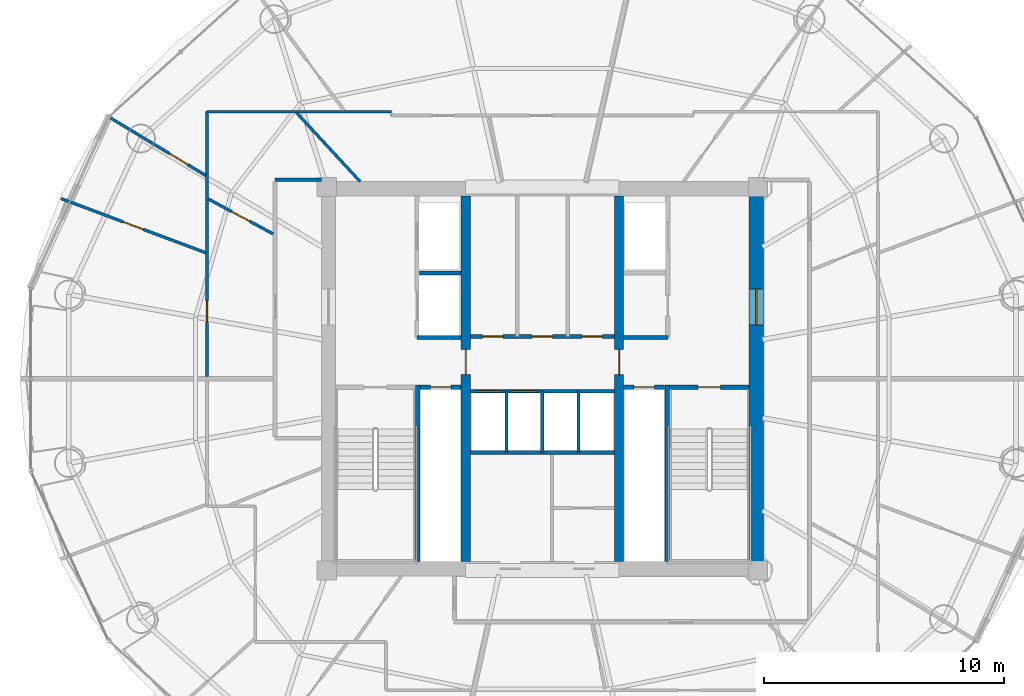
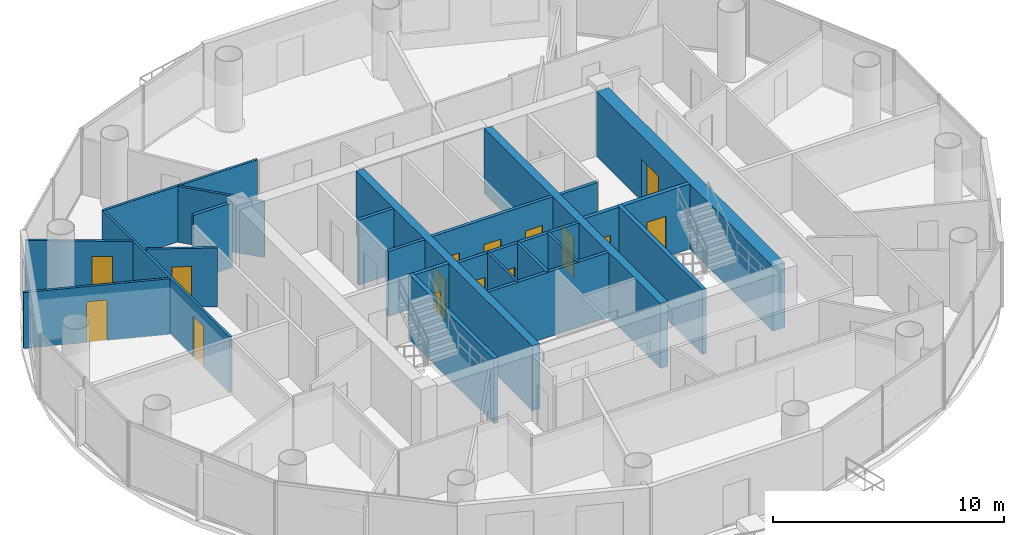
# One storey, part 21 of 26: 24 walls, 15 doors, 15 openings.
"""IFC4 building model written with IfcOpenShell, lengths in metres."""

import ifcopenshell
import ifcopenshell.guid

model = None  # the IFC model being written
_history = None  # IfcOwnerHistory: only IFC2X3 demands one
_inside = {}  # id of a spatial element -> (the spatial element, [elements in it])
_under = {}  # id of a project, library or spatial element -> (it, [spatial elements below it])
_declared = {}  # id of a project -> (the project, [libraries it declares])
_typed = {}  # id of a type object -> (the type object, [elements of that type])
_made_of = {}  # id of a material, layer set ... -> (it, [elements and type objects made of it])


def new_model(schema):
    """Start an empty IFC model of exactly this schema.

    Asked for "IFC4X3", IfcOpenShell would pick the latest addendum, in which some entities
    have other attributes; the version numbers below select the first issue.
    IFC2X3 requires an IfcOwnerHistory on every rooted entity: one is made here for all.
    """
    global model, _history
    if schema == "IFC4X3":
        model = ifcopenshell.file(schema_version=(4, 3, 0, 0))
    else:
        model = ifcopenshell.file(schema=schema)
    _inside.clear()
    _under.clear()
    _declared.clear()
    _typed.clear()
    _made_of.clear()
    _history = None
    if model.schema == "IFC2X3":
        org = make("IfcOrganization", Name="unknown")
        user = make(
            "IfcPersonAndOrganization",
            ThePerson=make("IfcPerson", FamilyName="unknown"),
            TheOrganization=org,
        )
        app = make(
            "IfcApplication",
            ApplicationDeveloper=org,
            Version="unknown",
            ApplicationFullName="unknown",
            ApplicationIdentifier="unknown",
        )
        _history = make(
            "IfcOwnerHistory",
            OwningUser=user,
            OwningApplication=app,
            ChangeAction="ADDED",
            CreationDate=0,
        )
    return model


def make(cls, **values):
    """One entity of the class cls with the attributes given. An attribute that is None is left unset."""
    return model.create_entity(
        cls, **{name: value for name, value in values.items() if value is not None}
    )


def rooted(cls, **values):
    """An entity with a GlobalId (a new one), such as an element, a storey or a relation."""
    return make(cls, GlobalId=ifcopenshell.guid.new(), OwnerHistory=_history, **values)


def si_unit(unit_type, name, prefix=None):
    """IfcSIUnit, for example si_unit("LENGTHUNIT", "METRE", prefix="MILLI")."""
    return make("IfcSIUnit", UnitType=unit_type, Prefix=prefix, Name=name)


def assignment(units):
    """IfcUnitAssignment: the units of a project."""
    return None if units is None else make("IfcUnitAssignment", Units=units)


def point(xyz):
    """IfcCartesianPoint."""
    return None if xyz is None else make("IfcCartesianPoint", Coordinates=xyz)


def direction(xyz):
    """IfcDirection."""
    return None if xyz is None else make("IfcDirection", DirectionRatios=xyz)


def frame(location, z_axis=None, x_axis=None):
    """IfcAxis2Placement3D, a coordinate frame: its origin and axes. An axis left out is left unset."""
    return make(
        "IfcAxis2Placement3D",
        Location=point(location),
        Axis=direction(z_axis),
        RefDirection=direction(x_axis),
    )


def frame_2d(location, x_axis=None):
    """IfcAxis2Placement2D, a coordinate frame in the plane: its origin and x axis."""
    return make(
        "IfcAxis2Placement2D", Location=point(location), RefDirection=direction(x_axis)
    )


def origin():
    """The frame at (0, 0, 0) with its axes left unset."""
    return frame((0.0, 0.0, 0.0))


def place(relative_to, where):
    """IfcLocalPlacement: puts the frame where relative to a parent placement (None: the world)."""
    return make(
        "IfcLocalPlacement", PlacementRelTo=relative_to, RelativePlacement=where
    )


def context(
    kind, dimensions, precision=None, world=None, true_north=None, identifier=None
):
    """IfcGeometricRepresentationContext, for example the 3D "Model" context."""
    return make(
        "IfcGeometricRepresentationContext",
        ContextIdentifier=identifier,
        ContextType=kind,
        CoordinateSpaceDimension=dimensions,
        Precision=precision,
        WorldCoordinateSystem=world,
        TrueNorth=true_north,
    )


def subcontext(parent, identifier, kind, view, scale=None):
    """IfcGeometricRepresentationSubContext, for example "Body" below "Model"."""
    return make(
        "IfcGeometricRepresentationSubContext",
        ContextIdentifier=identifier,
        ContextType=kind,
        ParentContext=parent,
        TargetScale=scale,
        TargetView=view,
    )


def project(units=None, contexts=None):
    """IfcProject with its units and contexts."""
    return rooted(
        "IfcProject",
        Name="project",
        RepresentationContexts=contexts,
        UnitsInContext=assignment(units),
    )


def spatial(cls, under=None, at=None, **own):
    """A site, building, storey or space (cls), placed at a placement, below another one or the project."""
    s = rooted(cls, ObjectPlacement=at, **own)
    if under is not None:
        _under.setdefault(under.id(), (under, []))[1].append(s)
    return s


def profile(cls, at=None, kind="AREA", **sizes):
    """A parametric profile (cls). Its sizes go by their IFC names, for example OverallWidth=200.0."""
    return make(cls, ProfileType=kind, Position=at, **sizes)


def rectangle(**sizes):
    """IfcRectangleProfileDef."""
    return profile("IfcRectangleProfileDef", **sizes)


def extrude(swept, where, along, depth):
    """IfcExtrudedAreaSolid: the profile swept, set in the frame where, extruded along a direction by depth."""
    return make(
        "IfcExtrudedAreaSolid",
        SweptArea=swept,
        Position=where,
        ExtrudedDirection=direction(along),
        Depth=depth,
    )


def shape(context_of_items, identifier, shape_type, items):
    """IfcShapeRepresentation: the items that make up one representation, for example the "Body"."""
    return make(
        "IfcShapeRepresentation",
        ContextOfItems=context_of_items,
        RepresentationIdentifier=identifier,
        RepresentationType=shape_type,
        Items=items,
    )


def source(mapping_origin, context_of_items, identifier, shape_type, items):
    """IfcRepresentationMap: a shape defined once, which mapped items show again and again."""
    return make(
        "IfcRepresentationMap",
        MappingOrigin=mapping_origin,
        MappedRepresentation=shape(context_of_items, identifier, shape_type, items),
    )


def transform(
    local_origin,
    x_axis=None,
    y_axis=None,
    z_axis=None,
    scale=None,
    scale2=None,
    scale3=None,
    uniform=True,
):
    """IfcCartesianTransformationOperator3D, or its non-uniform kind. x_axis, y_axis, z_axis: its Axis1, 2, 3."""
    if uniform:
        return make(
            "IfcCartesianTransformationOperator3D",
            Axis1=direction(x_axis),
            Axis2=direction(y_axis),
            LocalOrigin=point(local_origin),
            Scale=scale,
            Axis3=direction(z_axis),
        )
    return make(
        "IfcCartesianTransformationOperator3DnonUniform",
        Axis1=direction(x_axis),
        Axis2=direction(y_axis),
        LocalOrigin=point(local_origin),
        Scale=scale,
        Axis3=direction(z_axis),
        Scale2=scale2,
        Scale3=scale3,
    )


def mapped(mapping_source, mapping_target):
    """IfcMappedItem: shows the shape of a source again, moved by a transform."""
    return make(
        "IfcMappedItem", MappingSource=mapping_source, MappingTarget=mapping_target
    )


def material(Name=None, Category=None):
    """IfcMaterial."""
    return make("IfcMaterial", Name=Name, Category=Category)


def layer(
    of_material, thickness, ventilated=None, Name=None, Category=None, Priority=None
):
    """IfcMaterialLayer: one layer of a wall or slab, of a material (None: an air gap)."""
    return make(
        "IfcMaterialLayer",
        Material=of_material,
        LayerThickness=thickness,
        IsVentilated=ventilated,
        Name=Name,
        Category=Category,
        Priority=Priority,
    )


def layer_set(layers, Name=None):
    """IfcMaterialLayerSet."""
    return make("IfcMaterialLayerSet", MaterialLayers=layers, LayerSetName=Name)


def made_of(thing, what):
    """Note that an element or type object is made of a material, layer set ...; save() writes the relation."""
    if what is not None:
        _made_of.setdefault(what.id(), (what, []))[1].append(thing)
    return thing


def type_object(cls, material=None, **own):
    """A type object (cls), such as IfcWallType, which elements share."""
    return made_of(rooted(cls, **own), material)


def element(
    cls,
    number,
    at=None,
    inside=None,
    cuts=None,
    type_object=None,
    material=None,
    context=None,
    identifier="Body",
    shape_type=None,
    held_by="IfcProductDefinitionShape",
    body=None,
    shapes=None,
    **own,
):
    """One element of the class cls, such as IfcWall. Its Tag is "e" and its number.

    at: its placement. inside: the storey or other place that contains it. cuts: it is an
    opening in that element (IfcRelVoidsElement). A single representation is given by context,
    identifier, shape_type and body (its items); several are given by shapes. held_by: the class
    of the entity that holds the representations. save() writes the other relations.
    """
    e = rooted(cls, Tag="e%d" % number, ObjectPlacement=at, **own)
    if body is not None:
        shapes = [shape(context, identifier, shape_type, body)]
    if shapes is not None:
        e.Representation = make(held_by, Representations=shapes)
    if inside is not None:
        _inside.setdefault(inside.id(), (inside, []))[1].append(e)
    if cuts is not None:
        rooted(
            "IfcRelVoidsElement", RelatingBuildingElement=cuts, RelatedOpeningElement=e
        )
    if type_object is not None:
        _typed.setdefault(type_object.id(), (type_object, []))[1].append(e)
    return made_of(e, material)


def fill(opening, filler):
    """IfcRelFillsElement: the door or window that sits in an opening."""
    return rooted(
        "IfcRelFillsElement",
        RelatingOpeningElement=opening,
        RelatedBuildingElement=filler,
    )


def aggregate(whole, parts):
    """IfcRelAggregates: a whole, such as a stair, and the parts it consists of."""
    return rooted("IfcRelAggregates", RelatingObject=whole, RelatedObjects=parts)


def save(model, path):
    """Write the relations noted so far, then the file.

    IfcRelAggregates (storeys below a building ...), IfcRelContainedInSpatialStructure (elements
    in a storey), IfcRelDefinesByType, IfcRelAssociatesMaterial and IfcRelDeclares: one each for
    every whole, place, type object, material and project.
    """
    for whole, parts in _under.values():
        aggregate(whole, parts)
    for where, things in _inside.values():
        rooted(
            "IfcRelContainedInSpatialStructure",
            RelatedElements=things,
            RelatingStructure=where,
        )
    for kind, things in _typed.values():
        rooted("IfcRelDefinesByType", RelatedObjects=things, RelatingType=kind)
    for what, things in _made_of.values():
        rooted("IfcRelAssociatesMaterial", RelatedObjects=things, RelatingMaterial=what)
    for by, libraries in _declared.values():
        rooted("IfcRelDeclares", RelatingContext=by, RelatedDefinitions=libraries)
    model.write(path)


model = new_model("IFC4")

# Units and contexts
model_context = context("Model", 3, precision=1e-05, world=origin(), true_north=direction((-0.2419218956, 0.970295726276)))
body_context = subcontext(model_context, "Body", "Model", "MODEL_VIEW")
ifc_project = project(units=[si_unit("LENGTHUNIT", "METRE"), si_unit("AREAUNIT", "SQUARE_METRE"), si_unit("VOLUMEUNIT", "CUBIC_METRE"), si_unit("PLANEANGLEUNIT", "RADIAN"), si_unit("MASSUNIT", "GRAM", prefix="KILO")], contexts=[model_context])

# Site, building, storey
site_placement = place(None, origin())
site = spatial("IfcSite", under=ifc_project, at=site_placement, CompositionType="ELEMENT")
building_placement = place(site_placement, origin())
building = spatial("IfcBuilding", under=site, at=building_placement, Name="Cobrevalo Terracotta Tower", CompositionType="ELEMENT")
storey_placement = place(building_placement, frame((0.0, 0.0, 217.10009765625)))
storey = spatial("IfcBuildingStorey", under=building, at=storey_placement, Name="L57", CompositionType="ELEMENT", Elevation=217.10009765625)

# Wall, opening, door
ifc_material_1 = material(Name="Concrete C55", Category="concrete")
ifc_layer_1 = layer(ifc_material_1, 0.60009765625)
ifc_layer_set_1 = layer_set([ifc_layer_1], Name="Concrete C55")
wall_type_1 = type_object("IfcWallType", Name="Core shear wall 600 mm Concrete C55", PredefinedType="SHEAR", material=ifc_layer_set_1)
wall_1_placement = place(storey_placement, frame((46.925048828125, 19.175048828125, 0.0), z_axis=(0.0, 0.0, 1.0), x_axis=(0.0, 1.0, 0.0)))
wall_1 = element("IfcWall", 1, at=wall_1_placement, inside=storey, type_object=wall_type_1, Name="L57 east core shear wall", PredefinedType="SHEAR", context=body_context, shape_type="SweptSolid", body=[
    extrude(rectangle(XDim=15.25, YDim=0.60009765625, at=frame_2d((7.625, 0.0))), origin(), (0.0, 0.0, 1.0), 3.434814453125),
])
opening_1_placement = place(wall_1_placement, frame((9.875, 0.0, 0.0)))
opening_1 = element("IfcOpeningElement", 2, at=opening_1_placement, cuts=wall_1, Name="Opening ID-14", PredefinedType="OPENING", context=body_context, shape_type="SweptSolid", body=[
    extrude(rectangle(XDim=1.5, YDim=2.199951171875, at=frame_2d((0.75, 1.10009765625))), frame((0.0, 0.31005859375, 0.0), z_axis=(0.0, -1.0, 0.0), x_axis=(1.0, 0.0, 0.0)), (0.0, 0.0, 1.0), 0.6201171875),
])
ifc_material_2 = material(Name="Galvanized fire-rated steel", Category="steel")
door_type_1 = type_object("IfcDoorType", Name="Core cross-lobby double fire door 1500x2200 EI 90", OperationType="NOTDEFINED", PredefinedType="DOOR", material=ifc_material_2)
shared_shape_1 = source(origin(), body_context, "Body", "SweptSolid", [
    extrude(rectangle(XDim=1.5, YDim=2.199951171875, at=frame_2d((0.75, 1.10009765625))), frame((0.0, 0.02490234375, 0.0), z_axis=(0.0, -1.0, 0.0), x_axis=(1.0, 0.0, 0.0)), (0.0, 0.0, 1.0), 0.050048828125),
])
door_1_placement = place(opening_1_placement, frame((1.5, 0.0, 0.0), z_axis=(0.0, 0.0, 1.0), x_axis=(-1.0, 0.0, 0.0)))
door_1 = element("IfcDoor", 3, at=door_1_placement, inside=storey, type_object=door_type_1, Name="L57 east firefighting lobby entrance door", OperationType="DOUBLE_DOOR_SINGLE_SWING", OverallHeight=2.199951171875, OverallWidth=1.5, PredefinedType="DOOR", context=body_context, shape_type="MappedRepresentation", body=[
    mapped(shared_shape_1, transform((0.0, 0.0, 0.0), scale=1.0)),
])
fill(opening_1, door_1)

# Walls
ifc_material_3 = material(Name="Gypsum board on steel stud", Category="steel")
ifc_layer_2 = layer(ifc_material_3, 0.159912109375)
ifc_layer_set_2 = layer_set([ifc_layer_2], Name="Gypsum board on steel stud")
wall_type_2 = type_object("IfcWallType", Name="Fire-rated corridor acoustic partition wall 160 mm", PredefinedType="PARTITIONING", material=ifc_layer_set_2)
wall_2_placement = place(storey_placement, frame((32.860107421875, 31.219970703125, 0.0), z_axis=(0.0, 0.0, 1.0), x_axis=(1.0, 0.0, 0.0)))
element("IfcWall", 4, at=wall_2_placement, inside=storey, type_object=wall_type_2, Name="L57 interior partition IW-L57-FF1-M", PredefinedType="PARTITIONING", context=body_context, shape_type="SweptSolid", body=[
    extrude(rectangle(XDim=1.75, YDim=0.159912109375, at=frame_2d((0.875, 0.0))), origin(), (0.0, 0.0, 1.0), 3.434814453125),
])
for number, where, z_axis, x_axis, name in (
    (5, (32.77001953125, 28.52001953125, 0.0), (0.0, 0.0, 1.0), (1.0, 0.0, 0.0), "L57 interior partition IW-L57-FF1-S"),
    (6, (41.389892578125, 28.52001953125, 0.0), (0.0, 0.0, 1.0), (1.0, 0.0, 0.0), "L57 interior partition IW-L57-FF2-S"),
):
    element("IfcWall", number, at=place(storey_placement, frame(where, z_axis=z_axis, x_axis=x_axis)), inside=storey, type_object=wall_type_2, Name=name, PredefinedType="PARTITIONING", context=body_context, shape_type="SweptSolid", body=[
        extrude(rectangle(XDim=1.840087890625, YDim=0.159912109375, at=frame_2d((0.919921875, 0.0))), origin(), (0.0, 0.0, 1.0), 3.434814453125),
    ])

# Wall, openings, doors
wall_3_placement = place(storey_placement, frame((34.989990234375, 28.56005859375, 0.0), z_axis=(0.0, 0.0, 1.0), x_axis=(1.0, 0.0, 0.0)))
wall_3 = element("IfcWall", 7, at=wall_3_placement, inside=storey, type_object=wall_type_2, Name="L57 interior partition IW-L57-LB-S", PredefinedType="PARTITIONING", context=body_context, shape_type="SweptSolid", body=[
    extrude(rectangle(XDim=6.02001953125, YDim=0.159912109375, at=frame_2d((3.010009765625, 0.0))), origin(), (0.0, 0.0, 1.0), 3.434814453125),
])
opening_2_placement = place(wall_3_placement, frame((0.5048828125, 0.0, 0.0)))
opening_2 = element("IfcOpeningElement", 8, at=opening_2_placement, cuts=wall_3, Name="Opening ID-22", PredefinedType="OPENING", context=body_context, shape_type="SweptSolid", body=[
    extrude(rectangle(XDim=0.85009765625, YDim=2.10009765625, at=frame_2d((0.425048828125, 1.050048828125))), frame((0.0, 0.08984375, 0.0), z_axis=(0.0, -1.0, 0.0), x_axis=(1.0, 0.0, 0.0)), (0.0, 0.0, 1.0), 0.179931640625),
])
opening_3_placement = place(wall_3_placement, frame((2.580078125, 0.0, 0.0)))
opening_3 = element("IfcOpeningElement", 9, at=opening_3_placement, cuts=wall_3, Name="Opening ID-07", PredefinedType="OPENING", context=body_context, shape_type="SweptSolid", body=[
    extrude(rectangle(XDim=0.860107421875, YDim=2.10009765625, at=frame_2d((0.43017578125, 1.050048828125))), frame((0.0, 0.08984375, 0.0), z_axis=(0.0, -1.0, 0.0), x_axis=(1.0, 0.0, 0.0)), (0.0, 0.0, 1.0), 0.179931640625),
])
opening_4_placement = place(wall_3_placement, frame((4.6650390625, 0.0, 0.0)))
opening_4 = element("IfcOpeningElement", 10, at=opening_4_placement, cuts=wall_3, Name="Opening ID-22", PredefinedType="OPENING", context=body_context, shape_type="SweptSolid", body=[
    extrude(rectangle(XDim=0.85009765625, YDim=2.10009765625, at=frame_2d((0.425048828125, 1.050048828125))), frame((0.0, 0.08984375, 0.0), z_axis=(0.0, -1.0, 0.0), x_axis=(1.0, 0.0, 0.0)), (0.0, 0.0, 1.0), 0.179931640625),
])
ifc_material_4 = material(Name="Powder-coated steel", Category="steel")
door_type_2 = type_object("IfcDoorType", Name="Riser shaft & meter closet fire access door 850x2100 EI 60", OperationType="NOTDEFINED", PredefinedType="DOOR", material=ifc_material_4)
shared_shape_2 = source(origin(), body_context, "Body", "SweptSolid", [
    extrude(rectangle(XDim=0.85009765625, YDim=2.10009765625, at=frame_2d((0.425048828125, 1.050048828125))), frame((0.0, 0.02490234375, 0.0), z_axis=(0.0, -1.0, 0.0), x_axis=(1.0, 0.0, 0.0)), (0.0, 0.0, 1.0), 0.050048828125),
])
door_2_placement = place(opening_2_placement, origin())
door_2 = element("IfcDoor", 11, at=door_2_placement, inside=storey, type_object=door_type_2, Name="L57 core service door Housekeeping Linen Store", OperationType="SINGLE_SWING_LEFT", OverallHeight=2.10009765625, OverallWidth=0.85009765625, PredefinedType="DOOR", context=body_context, shape_type="MappedRepresentation", body=[
    mapped(shared_shape_2, transform((0.0, 0.0, 0.0), scale=1.0)),
])
fill(opening_2, door_2)
door_3_placement = place(opening_4_placement, origin())
door_3 = element("IfcDoor", 12, at=door_3_placement, inside=storey, type_object=door_type_2, Name="L57 core service door Floor BMS Mechanical Plant", OperationType="SINGLE_SWING_LEFT", OverallHeight=2.10009765625, OverallWidth=0.85009765625, PredefinedType="DOOR", context=body_context, shape_type="MappedRepresentation", body=[
    mapped(shared_shape_2, transform((0.0, 0.0, 0.0), scale=1.0)),
])
fill(opening_4, door_3)
ifc_material_5 = material(Name="Fire-rated moisture-sealed timber", Category="wood")
door_type_3 = type_object("IfcDoorType", Name="Core & podium fire-rated accessible WC door 860x2100 EI 60", OperationType="NOTDEFINED", PredefinedType="DOOR", material=ifc_material_5)
shared_shape_3 = source(origin(), body_context, "Body", "SweptSolid", [
    extrude(rectangle(XDim=0.860107421875, YDim=2.10009765625, at=frame_2d((0.43017578125, 1.050048828125))), frame((0.0, 0.02490234375, 0.0), z_axis=(0.0, -1.0, 0.0), x_axis=(1.0, 0.0, 0.0)), (0.0, 0.0, 1.0), 0.050048828125),
])
door_4_placement = place(opening_3_placement, origin())
door_4 = element("IfcDoor", 13, at=door_4_placement, inside=storey, type_object=door_type_3, Name="L57 core service door Floor Service Toilet WC", OperationType="SINGLE_SWING_RIGHT", OverallHeight=2.10009765625, OverallWidth=0.860107421875, PredefinedType="DOOR", context=body_context, shape_type="MappedRepresentation", body=[
    mapped(shared_shape_3, transform((0.0, 0.0, 0.0), scale=1.0)),
])
fill(opening_3, door_4)

wall_4_placement = place(storey_placement, frame((34.989990234375, 26.280029296875, 0.0), z_axis=(0.0, 0.0, 1.0), x_axis=(1.0, 0.0, 0.0)))
wall_4 = element("IfcWall", 14, at=wall_4_placement, inside=storey, type_object=wall_type_2, Name="L57 interior partition IW-L57-MB-N", PredefinedType="PARTITIONING", context=body_context, shape_type="SweptSolid", body=[
    extrude(rectangle(XDim=6.02001953125, YDim=0.159912109375, at=frame_2d((3.010009765625, 0.0))), origin(), (0.0, 0.0, 1.0), 3.434814453125),
])
opening_5_placement = place(wall_4_placement, frame((0.22509765625, 0.0, 0.0)))
opening_5 = element("IfcOpeningElement", 15, at=opening_5_placement, cuts=wall_4, Name="Opening LD-01", PredefinedType="OPENING", context=body_context, shape_type="SweptSolid", body=[
    extrude(rectangle(XDim=1.10009765625, YDim=2.199951171875, at=frame_2d((0.550048828125, 1.10009765625))), frame((0.0, 0.08984375, 0.0), z_axis=(0.0, -1.0, 0.0), x_axis=(1.0, 0.0, 0.0)), (0.0, 0.0, 1.0), 0.179931640625),
])
opening_6_placement = place(wall_4_placement, frame((1.705078125, 0.0, 0.0)))
opening_6 = element("IfcOpeningElement", 16, at=opening_6_placement, cuts=wall_4, Name="Opening LD-01", PredefinedType="OPENING", context=body_context, shape_type="SweptSolid", body=[
    extrude(rectangle(XDim=1.10009765625, YDim=2.199951171875, at=frame_2d((0.550048828125, 1.10009765625))), frame((0.0, 0.08984375, 0.0), z_axis=(0.0, -1.0, 0.0), x_axis=(1.0, 0.0, 0.0)), (0.0, 0.0, 1.0), 0.179931640625),
])
ifc_material_6 = material(Name="Brushed stainless steel", Category="steel")
door_type_4 = type_object("IfcDoorType", Name="Passenger lift landing bi-parting sliding door 1100x2200 EI 90", OperationType="DOUBLE_DOOR_SLIDING", PredefinedType="DOOR", material=ifc_material_6)
shared_shape_4 = source(origin(), body_context, "Body", "SweptSolid", [
    extrude(rectangle(XDim=1.10009765625, YDim=2.199951171875, at=frame_2d((0.550048828125, 1.10009765625))), frame((0.0, 0.02490234375, 0.0), z_axis=(0.0, -1.0, 0.0), x_axis=(1.0, 0.0, 0.0)), (0.0, 0.0, 1.0), 0.050048828125),
])
door_5_placement = place(opening_5_placement, origin())
door_5 = element("IfcDoor", 17, at=door_5_placement, inside=storey, type_object=door_type_4, Name="L57 lift landing door PL-M1", OperationType="DOUBLE_DOOR_SLIDING", OverallHeight=2.199951171875, OverallWidth=1.10009765625, PredefinedType="DOOR", context=body_context, shape_type="MappedRepresentation", body=[
    mapped(shared_shape_4, transform((0.0, 0.0, 0.0), scale=1.0)),
])
fill(opening_5, door_5)
door_6_placement = place(opening_6_placement, origin())
door_6 = element("IfcDoor", 18, at=door_6_placement, inside=storey, type_object=door_type_4, Name="L57 lift landing door PL-M2", OperationType="DOUBLE_DOOR_SLIDING", OverallHeight=2.199951171875, OverallWidth=1.10009765625, PredefinedType="DOOR", context=body_context, shape_type="MappedRepresentation", body=[
    mapped(shared_shape_4, transform((0.0, 0.0, 0.0), scale=1.0)),
])
fill(opening_6, door_6)

# Walls
wall_5_placement = place(storey_placement, frame((34.989990234375, 23.719970703125, 0.0), z_axis=(0.0, 0.0, 1.0), x_axis=(1.0, 0.0, 0.0)))
element("IfcWall", 19, at=wall_5_placement, inside=storey, type_object=wall_type_2, Name="L57 interior partition IW-L57-MB-S", PredefinedType="PARTITIONING", context=body_context, shape_type="SweptSolid", body=[
    extrude(rectangle(XDim=6.02001953125, YDim=0.159912109375, at=frame_2d((3.010009765625, 0.0))), origin(), (0.0, 0.0, 1.0), 3.434814453125),
])
wall_6_placement = place(storey_placement, frame((26.844970703125, 35.10498046875, 0.0), z_axis=(0.0, 0.0, 1.0), x_axis=(1.0, 0.0, 0.0)))
element("IfcWall", 20, at=wall_6_placement, inside=storey, type_object=wall_type_2, Name="L57 interior partition IW-L57-COR-WN-CAP", PredefinedType="PARTITIONING", context=body_context, shape_type="SweptSolid", body=[
    extrude(rectangle(XDim=1.929931640625, YDim=0.159912109375, at=frame_2d((0.96484375, 0.0))), origin(), (0.0, 0.0, 1.0), 3.434814453125),
])

# Wall, opening, door
ifc_layer_3 = layer(ifc_material_3, 0.179931640625)
ifc_layer_set_3 = layer_set([ifc_layer_3], Name="Gypsum board on steel stud")
wall_type_3 = type_object("IfcWallType", Name="Fire-rated shaft & lobby acoustic partition wall 180 mm", PredefinedType="PARTITIONING", material=ifc_layer_set_3)
wall_7_placement = place(storey_placement, frame((32.89990234375, 26.449951171875, 0.0), z_axis=(0.0, 0.0, 1.0), x_axis=(1.0, 0.0, 0.0)))
wall_7 = element("IfcWall", 21, at=wall_7_placement, inside=storey, type_object=wall_type_3, Name="L57 interior partition IW-L57-RSW-N", PredefinedType="PARTITIONING", context=body_context, shape_type="SweptSolid", body=[
    extrude(rectangle(XDim=1.710205078125, YDim=0.179931640625, at=frame_2d((0.85498046875, 0.0))), origin(), (0.0, 0.0, 1.0), 3.434814453125),
])
opening_7_placement = place(wall_7_placement, frame((0.429931640625, 0.0, 0.0)))
opening_7 = element("IfcOpeningElement", 22, at=opening_7_placement, cuts=wall_7, Name="Opening ID-22", PredefinedType="OPENING", context=body_context, shape_type="SweptSolid", body=[
    extrude(rectangle(XDim=0.85009765625, YDim=2.10009765625, at=frame_2d((0.425048828125, 1.050048828125))), frame((0.0, 0.10009765625, 0.0), z_axis=(0.0, -1.0, 0.0), x_axis=(1.0, 0.0, 0.0)), (0.0, 0.0, 1.0), 0.199951171875),
])
door_7_placement = place(opening_7_placement, origin())
door_7 = element("IfcDoor", 23, at=door_7_placement, inside=storey, type_object=door_type_2, Name="L57 riser access door RSW", OperationType="SINGLE_SWING_LEFT", OverallHeight=2.10009765625, OverallWidth=0.85009765625, PredefinedType="DOOR", context=body_context, shape_type="MappedRepresentation", body=[
    mapped(shared_shape_2, transform((0.0, 0.0, 0.0), scale=1.0)),
])
fill(opening_7, door_7)

wall_8_placement = place(storey_placement, frame((41.389892578125, 26.449951171875, 0.0), z_axis=(0.0, 0.0, 1.0), x_axis=(1.0, 0.0, 0.0)))
wall_8 = element("IfcWall", 24, at=wall_8_placement, inside=storey, type_object=wall_type_3, Name="L57 interior partition IW-L57-RSE-N", PredefinedType="PARTITIONING", context=body_context, shape_type="SweptSolid", body=[
    extrude(rectangle(XDim=1.710205078125, YDim=0.179931640625, at=frame_2d((0.85498046875, 0.0))), origin(), (0.0, 0.0, 1.0), 3.434814453125),
])
opening_8_placement = place(wall_8_placement, frame((0.429931640625, 0.0, 0.0)))
opening_8 = element("IfcOpeningElement", 25, at=opening_8_placement, cuts=wall_8, Name="Opening ID-22", PredefinedType="OPENING", context=body_context, shape_type="SweptSolid", body=[
    extrude(rectangle(XDim=0.85009765625, YDim=2.10009765625, at=frame_2d((0.425048828125, 1.050048828125))), frame((0.0, 0.10009765625, 0.0), z_axis=(0.0, -1.0, 0.0), x_axis=(1.0, 0.0, 0.0)), (0.0, 0.0, 1.0), 0.199951171875),
])
door_8_placement = place(opening_8_placement, origin())
door_8 = element("IfcDoor", 26, at=door_8_placement, inside=storey, type_object=door_type_2, Name="L57 riser access door RSE", OperationType="SINGLE_SWING_RIGHT", OverallHeight=2.10009765625, OverallWidth=0.85009765625, PredefinedType="DOOR", context=body_context, shape_type="MappedRepresentation", body=[
    mapped(shared_shape_2, transform((0.0, 0.0, 0.0), scale=1.0)),
])
fill(opening_8, door_8)

# Walls
ifc_material_7 = material(Name="Autoclaved aerated concrete block", Category="concrete")
ifc_layer_4 = layer(ifc_material_7, 0.1201171875)
ifc_layer_set_4 = layer_set([ifc_layer_4], Name="Autoclaved aerated concrete block")
wall_type_4 = type_object("IfcWallType", Name="Fire-rated wet-room & core service partition 120 mm", PredefinedType="PARTITIONING", material=ifc_layer_set_4)
for number, where, z_axis, x_axis, name in (
    (27, (36.5, 23.719970703125, 0.0), (0.0, 0.0, 1.0), (0.0, 1.0, 0.0), "L57 interior partition IW-L57-MB-D1"),
    (28, (39.5, 23.719970703125, 0.0), (0.0, 0.0, 1.0), (0.0, 1.0, 0.0), "L57 interior partition IW-L57-MB-D3"),
):
    element("IfcWall", number, at=place(storey_placement, frame(where, z_axis=z_axis, x_axis=x_axis)), inside=storey, type_object=wall_type_4, Name=name, PredefinedType="PARTITIONING", context=body_context, shape_type="SweptSolid", body=[
        extrude(rectangle(XDim=2.56005859375, YDim=0.1201171875, at=frame_2d((1.280029296875, 0.0))), origin(), (0.0, 0.0, 1.0), 3.434814453125),
    ])

# Wall, opening, door
ifc_material_8 = material(Name="Concrete C50", Category="concrete")
ifc_layer_5 = layer(ifc_material_8, 0.3798828125)
ifc_layer_set_5 = layer_set([ifc_layer_5], Name="Concrete C50")
wall_type_5 = type_object("IfcWallType", Name="Internal core shear web wall 380 mm Concrete C50", PredefinedType="SHEAR", material=ifc_layer_set_5)
wall_9_placement = place(storey_placement, frame((34.800048828125, 19.175048828125, 0.0), z_axis=(0.0, 0.0, 1.0), x_axis=(0.0, 1.0, 0.0)))
wall_9 = element("IfcWall", 29, at=wall_9_placement, inside=storey, type_object=wall_type_5, Name="L57 internal core shear wall WEB-W", PredefinedType="SHEAR", context=body_context, shape_type="SweptSolid", body=[
    extrude(rectangle(XDim=15.25, YDim=0.3798828125, at=frame_2d((7.625, 0.0))), origin(), (0.0, 0.0, 1.0), 3.434814453125),
])
opening_9_placement = place(wall_9_placement, frame((7.800048828125, 0.0, 0.0)))
opening_9 = element("IfcOpeningElement", 30, at=opening_9_placement, cuts=wall_9, Name="Opening ID-11", PredefinedType="OPENING", context=body_context, shape_type="SweptSolid", body=[
    extrude(rectangle(XDim=1.050048828125, YDim=2.14990234375, at=frame_2d((0.52490234375, 1.074951171875))), frame((0.0, 0.199951171875, 0.0), z_axis=(0.0, -1.0, 0.0), x_axis=(1.0, 0.0, 0.0)), (0.0, 0.0, 1.0), 0.39990234375),
])
door_type_5 = type_object("IfcDoorType", Name="Core concourse cross fire door 1050x2150 EI 90", OperationType="NOTDEFINED", PredefinedType="DOOR", material=ifc_material_2)
shared_shape_5 = source(origin(), body_context, "Body", "SweptSolid", [
    extrude(rectangle(XDim=1.050048828125, YDim=2.14990234375, at=frame_2d((0.52490234375, 1.074951171875))), frame((0.0, 0.02490234375, 0.0), z_axis=(0.0, -1.0, 0.0), x_axis=(1.0, 0.0, 0.0)), (0.0, 0.0, 1.0), 0.050048828125),
])
door_9_placement = place(opening_9_placement, origin())
door_9 = element("IfcDoor", 31, at=door_9_placement, inside=storey, type_object=door_type_5, Name="L57 west core concourse cross door", OperationType="SINGLE_SWING_LEFT", OverallHeight=2.14990234375, OverallWidth=1.050048828125, PredefinedType="DOOR", context=body_context, shape_type="MappedRepresentation", body=[
    mapped(shared_shape_5, transform((0.0, 0.0, 0.0), scale=1.0)),
])
fill(opening_9, door_9)

wall_10_placement = place(storey_placement, frame((41.199951171875, 19.175048828125, 0.0), z_axis=(0.0, 0.0, 1.0), x_axis=(0.0, 1.0, 0.0)))
wall_10 = element("IfcWall", 32, at=wall_10_placement, inside=storey, type_object=wall_type_5, Name="L57 internal core shear wall WEB-E", PredefinedType="SHEAR", context=body_context, shape_type="SweptSolid", body=[
    extrude(rectangle(XDim=15.25, YDim=0.3798828125, at=frame_2d((7.625, 0.0))), origin(), (0.0, 0.0, 1.0), 3.434814453125),
])
opening_10_placement = place(wall_10_placement, frame((7.800048828125, 0.0, 0.0)))
opening_10 = element("IfcOpeningElement", 33, at=opening_10_placement, cuts=wall_10, Name="Opening ID-11", PredefinedType="OPENING", context=body_context, shape_type="SweptSolid", body=[
    extrude(rectangle(XDim=1.050048828125, YDim=2.14990234375, at=frame_2d((0.52490234375, 1.074951171875))), frame((0.0, 0.199951171875, 0.0), z_axis=(0.0, -1.0, 0.0), x_axis=(1.0, 0.0, 0.0)), (0.0, 0.0, 1.0), 0.39990234375),
])
door_10_placement = place(opening_10_placement, frame((1.050048828125, 0.0, 0.0), z_axis=(0.0, 0.0, 1.0), x_axis=(-1.0, 0.0, 0.0)))
door_10 = element("IfcDoor", 34, at=door_10_placement, inside=storey, type_object=door_type_5, Name="L57 east core concourse cross door", OperationType="SINGLE_SWING_RIGHT", OverallHeight=2.14990234375, OverallWidth=1.050048828125, PredefinedType="DOOR", context=body_context, shape_type="MappedRepresentation", body=[
    mapped(shared_shape_5, transform((0.0, 0.0, 0.0), scale=1.0)),
])
fill(opening_10, door_10)

# Wall
ifc_layer_6 = layer(ifc_material_7, 0.139892578125)
ifc_layer_set_6 = layer_set([ifc_layer_6], Name="Autoclaved aerated concrete block")
wall_type_6 = type_object("IfcWallType", Name="Moisture-resistant wet-room & core service partition 140 mm", PredefinedType="PARTITIONING", material=ifc_layer_set_6)
wall_11_placement = place(storey_placement, frame((38.0, 23.719970703125, 0.0), z_axis=(0.0, 0.0, 1.0), x_axis=(0.0, 1.0, 0.0)))
element("IfcWall", 35, at=wall_11_placement, inside=storey, type_object=wall_type_6, Name="L57 interior partition IW-L57-MB-D2", PredefinedType="PARTITIONING", context=body_context, shape_type="SweptSolid", body=[
    extrude(rectangle(XDim=2.56005859375, YDim=0.139892578125, at=frame_2d((1.280029296875, 0.0))), origin(), (0.0, 0.0, 1.0), 3.434814453125),
])

# Wall, opening, door
ifc_layer_7 = layer(ifc_material_3, 0.1201171875)
ifc_layer_set_7 = layer_set([ifc_layer_7], Name="Gypsum board on steel stud")
wall_type_7 = type_object("IfcWallType", Name="Residential internal acoustic stud partition 120 mm", PredefinedType="PARTITIONING", material=ifc_layer_set_7)
wall_12_placement = place(storey_placement, frame((24.0048828125, 26.902099609375, 0.0), z_axis=(0.0, 0.0, 1.0), x_axis=(0.0, 1.0, 0.0)))
wall_12 = element("IfcWall", 36, at=wall_12_placement, inside=storey, type_object=wall_type_7, Name="L57 interior partition IW-L57-U2-RING0_0", PredefinedType="PARTITIONING", context=body_context, shape_type="SweptSolid", body=[
    extrude(rectangle(XDim=11.04296875, YDim=0.1201171875, at=frame_2d((5.521484375, 0.0))), origin(), (0.0, 0.0, 1.0), 2.950927734375),
])
opening_11_placement = place(wall_12_placement, frame((2.246337890625, 0.0, 0.0)))
opening_11 = element("IfcOpeningElement", 37, at=opening_11_placement, cuts=wall_12, Name="Opening ID-12", PredefinedType="OPENING", context=body_context, shape_type="SweptSolid", body=[
    extrude(rectangle(XDim=0.89990234375, YDim=2.14990234375, at=frame_2d((0.449951171875, 1.074951171875))), frame((0.0, 0.070068359375, 0.0), z_axis=(0.0, -1.0, 0.0), x_axis=(1.0, 0.0, 0.0)), (0.0, 0.0, 1.0), 0.14013671875),
])
ifc_material_9 = material(Name="Engineered timber", Category="wood")
door_type_6 = type_object("IfcDoorType", Name="Internal residence & suite timber door 900x2150", OperationType="NOTDEFINED", PredefinedType="DOOR", material=ifc_material_9)
shared_shape_6 = source(origin(), body_context, "Body", "SweptSolid", [
    extrude(rectangle(XDim=0.89990234375, YDim=2.14990234375, at=frame_2d((0.449951171875, 1.074951171875))), frame((0.0, 0.02490234375, 0.0), z_axis=(0.0, -1.0, 0.0), x_axis=(1.0, 0.0, 0.0)), (0.0, 0.0, 1.0), 0.050048828125),
])
door_11_placement = place(opening_11_placement, origin())
door_11 = element("IfcDoor", 38, at=door_11_placement, inside=storey, type_object=door_type_6, Name="Flat L57B Penthouse Family Lounge internal door", OperationType="SINGLE_SWING_RIGHT", OverallHeight=2.14990234375, OverallWidth=0.89990234375, PredefinedType="DOOR", context=body_context, shape_type="MappedRepresentation", body=[
    mapped(shared_shape_6, transform((0.0, 0.0, 0.0), scale=1.0)),
])
fill(opening_11, door_11)

# Wall
wall_13_placement = place(storey_placement, frame((24.0048828125, 37.945068359375, 0.0), z_axis=(0.0, 0.0, 1.0), x_axis=(1.0, 0.0, 0.0)))
element("IfcWall", 39, at=wall_13_placement, inside=storey, type_object=wall_type_7, Name="L57 interior partition IW-L57-U2-RING1_0", PredefinedType="PARTITIONING", context=body_context, shape_type="SweptSolid", body=[
    extrude(rectangle(XDim=7.690185546875, YDim=0.1201171875, at=frame_2d((3.84521484375, 0.0))), origin(), (0.0, 0.0, 1.0), 2.950927734375),
])

# Wall, opening, door
wall_14_placement = place(storey_placement, frame((23.951904296875, 35.282470703125, 0.0), z_axis=(0.0, 0.0, 1.0), x_axis=(-0.856051317976, 0.516890840499, 0.0)))
wall_14 = element("IfcWall", 40, at=wall_14_placement, inside=storey, type_object=wall_type_7, Name="L57 interior partition IW-L57-U2-ORAD2", PredefinedType="PARTITIONING", context=body_context, shape_type="SweptSolid", body=[
    extrude(rectangle(XDim=4.657958984375, YDim=0.1201171875, at=frame_2d((2.3291015625, 0.0))), origin(), (0.0, 0.0, 1.0), 2.950927734375),
])
opening_12_placement = place(wall_14_placement, frame((0.8720703125, 0.0, 0.0)))
opening_12 = element("IfcOpeningElement", 41, at=opening_12_placement, cuts=wall_14, Name="Opening ID-12", PredefinedType="OPENING", context=body_context, shape_type="SweptSolid", body=[
    extrude(rectangle(XDim=0.89990234375, YDim=2.14990234375, at=frame_2d((0.449951171875, 1.074951171875))), frame((0.0, 0.070068359375, 0.0), z_axis=(0.0, -1.0, 0.0), x_axis=(1.0, 0.0, 0.0)), (0.0, 0.0, 1.0), 0.14013671875),
])
door_12_placement = place(opening_12_placement, frame((0.89990234375, 0.0, 0.0), z_axis=(0.0, 0.0, 1.0), x_axis=(-1.0, 0.0, 0.0)))
door_12 = element("IfcDoor", 42, at=door_12_placement, inside=storey, type_object=door_type_6, Name="Flat L57B Master Bedroom internal door", OperationType="SINGLE_SWING_RIGHT", OverallHeight=2.14990234375, OverallWidth=0.89990234375, PredefinedType="DOOR", context=body_context, shape_type="MappedRepresentation", body=[
    mapped(shared_shape_6, transform((0.0, 0.0, 0.0), scale=1.0)),
])
fill(opening_12, door_12)

wall_15_placement = place(storey_placement, frame((23.947021484375, 32.060302734375, 0.0), z_axis=(0.0, 0.0, 1.0), x_axis=(-0.936547148815, 0.350541635255, 0.0)))
wall_15 = element("IfcWall", 43, at=wall_15_placement, inside=storey, type_object=wall_type_7, Name="L57 interior partition IW-L57-U2-ORAD3M1", PredefinedType="PARTITIONING", context=body_context, shape_type="SweptSolid", body=[
    extrude(rectangle(XDim=6.438720703125, YDim=0.1201171875, at=frame_2d((3.21923828125, 0.0))), origin(), (0.0, 0.0, 1.0), 2.950927734375),
])
opening_13_placement = place(wall_15_placement, frame((2.769287109375, 0.0, 0.0)))
opening_13 = element("IfcOpeningElement", 44, at=opening_13_placement, cuts=wall_15, Name="Opening ID-12", PredefinedType="OPENING", context=body_context, shape_type="SweptSolid", body=[
    extrude(rectangle(XDim=0.89990234375, YDim=2.14990234375, at=frame_2d((0.449951171875, 1.074951171875))), frame((0.0, 0.070068359375, 0.0), z_axis=(0.0, -1.0, 0.0), x_axis=(1.0, 0.0, 0.0)), (0.0, 0.0, 1.0), 0.14013671875),
])
door_13_placement = place(opening_13_placement, frame((0.89990234375, 0.0, 0.0), z_axis=(0.0, 0.0, 1.0), x_axis=(-1.0, 0.0, 0.0)))
door_13 = element("IfcDoor", 45, at=door_13_placement, inside=storey, type_object=door_type_6, Name="Flat L57B Principal Guest Bedroom internal door", OperationType="SINGLE_SWING_LEFT", OverallHeight=2.14990234375, OverallWidth=0.89990234375, PredefinedType="DOOR", context=body_context, shape_type="MappedRepresentation", body=[
    mapped(shared_shape_6, transform((0.0, 0.0, 0.0), scale=1.0)),
])
fill(opening_13, door_13)

# Wall
wall_16_placement = place(storey_placement, frame((30.39599609375, 35.0263671875, 0.0), z_axis=(0.0, 0.0, 1.0), x_axis=(-0.678759446058, 0.734360684124, 0.0)))
element("IfcWall", 46, at=wall_16_placement, inside=storey, type_object=wall_type_7, Name="L57 interior partition IW-L57-U2-IRAD2", PredefinedType="PARTITIONING", context=body_context, shape_type="SweptSolid", body=[
    extrude(rectangle(XDim=3.912353515625, YDim=0.1201171875, at=frame_2d((1.9560546875, 0.0))), origin(), (0.0, 0.0, 1.0), 2.950927734375),
])

# Wall, opening, door
wall_17_placement = place(storey_placement, frame((26.764892578125, 32.845458984375, 0.0), z_axis=(0.0, 0.0, 1.0), x_axis=(-0.88059355453, 0.473872336943, 0.0)))
wall_17 = element("IfcWall", 47, at=wall_17_placement, inside=storey, type_object=wall_type_7, Name="L57 interior partition IW-L57-U2-IRAD3", PredefinedType="PARTITIONING", context=body_context, shape_type="SweptSolid", body=[
    extrude(rectangle(XDim=3.072265625, YDim=0.1201171875, at=frame_2d((1.5361328125, 0.0))), origin(), (0.0, 0.0, 1.0), 3.10986328125),
])
opening_14_placement = place(wall_17_placement, frame((1.106201171875, 0.0, 0.0)))
opening_14 = element("IfcOpeningElement", 48, at=opening_14_placement, cuts=wall_17, Name="Opening ID-19", PredefinedType="OPENING", context=body_context, shape_type="SweptSolid", body=[
    extrude(rectangle(XDim=0.860107421875, YDim=2.14990234375, at=frame_2d((0.43017578125, 1.074951171875))), frame((0.0, 0.070068359375, 0.0), z_axis=(0.0, -1.0, 0.0), x_axis=(1.0, 0.0, 0.0)), (0.0, 0.0, 1.0), 0.14013671875),
])
ifc_material_10 = material(Name="Moisture-sealed timber", Category="wood")
door_type_7 = type_object("IfcDoorType", Name="Suite bathroom internal timber door 860x2150", OperationType="NOTDEFINED", PredefinedType="DOOR", material=ifc_material_10)
shared_shape_7 = source(origin(), body_context, "Body", "SweptSolid", [
    extrude(rectangle(XDim=0.860107421875, YDim=2.14990234375, at=frame_2d((0.43017578125, 1.074951171875))), frame((0.0, 0.02490234375, 0.0), z_axis=(0.0, -1.0, 0.0), x_axis=(1.0, 0.0, 0.0)), (0.0, 0.0, 1.0), 0.050048828125),
])
door_14_placement = place(opening_14_placement, frame((0.860107421875, 0.0, 0.0), z_axis=(0.0, 0.0, 1.0), x_axis=(-1.0, 0.0, 0.0)))
door_14 = element("IfcDoor", 49, at=door_14_placement, inside=storey, type_object=door_type_7, Name="Flat L57B Primary Bathroom internal door", OperationType="SINGLE_SWING_LEFT", OverallHeight=2.14990234375, OverallWidth=0.860107421875, PredefinedType="DOOR", context=body_context, shape_type="MappedRepresentation", body=[
    mapped(shared_shape_7, transform((0.0, 0.0, 0.0), scale=1.0)),
])
fill(opening_14, door_14)

# Walls
ifc_layer_8 = layer(ifc_material_8, 0.199951171875)
ifc_layer_set_8 = layer_set([ifc_layer_8], Name="Concrete C50")
wall_type_8 = type_object("IfcWallType", Name="Structural core & podium stair-shaft RC wall 200 mm Concrete C50", PredefinedType="SOLIDWALL", material=ifc_layer_set_8)
for number, where, z_axis, x_axis, name in (
    (50, (32.794921875, 19.175048828125, 0.0), (0.0, 0.0, 1.0), (0.0, 1.0, 0.0), "L57 ST-1 east structural shaft wall"),
    (51, (43.205078125, 19.175048828125, 0.0), (0.0, 0.0, 1.0), (0.0, 1.0, 0.0), "L57 ST-2 west structural shaft wall"),
):
    element("IfcWall", number, at=place(storey_placement, frame(where, z_axis=z_axis, x_axis=x_axis)), inside=storey, type_object=wall_type_8, Name=name, PredefinedType="SOLIDWALL", context=body_context, shape_type="SweptSolid", body=[
        extrude(rectangle(XDim=7.375, YDim=0.199951171875, at=frame_2d((3.6875, 0.0))), origin(), (0.0, 0.0, 1.0), 3.434814453125),
    ])

# Wall, opening, door
wall_18_placement = place(storey_placement, frame((43.304931640625, 26.449951171875, 0.0), z_axis=(0.0, 0.0, 1.0), x_axis=(1.0, 0.0, 0.0)))
wall_18 = element("IfcWall", 52, at=wall_18_placement, inside=storey, type_object=wall_type_8, Name="L57 ST-2 north structural shaft wall", PredefinedType="SOLIDWALL", context=body_context, shape_type="SweptSolid", body=[
    extrude(rectangle(XDim=3.320068359375, YDim=0.199951171875, at=frame_2d((1.66015625, 0.0))), origin(), (0.0, 0.0, 1.0), 3.434814453125),
])
opening_15_placement = place(wall_18_placement, frame((1.18505859375, 0.0, 0.0)))
opening_15 = element("IfcOpeningElement", 53, at=opening_15_placement, cuts=wall_18, Name="Opening ID-04", PredefinedType="OPENING", context=body_context, shape_type="SweptSolid", body=[
    extrude(rectangle(XDim=0.949951171875, YDim=2.14990234375, at=frame_2d((0.47509765625, 1.074951171875))), frame((0.0, 0.10986328125, 0.0), z_axis=(0.0, -1.0, 0.0), x_axis=(1.0, 0.0, 0.0)), (0.0, 0.0, 1.0), 0.219970703125),
])
door_type_8 = type_object("IfcDoorType", Name="Stair & firefighting lobby fire door 950x2150 EI 90", OperationType="NOTDEFINED", PredefinedType="DOOR", material=ifc_material_2)
shared_shape_8 = source(origin(), body_context, "Body", "SweptSolid", [
    extrude(rectangle(XDim=0.949951171875, YDim=2.14990234375, at=frame_2d((0.47509765625, 1.074951171875))), frame((0.0, 0.02490234375, 0.0), z_axis=(0.0, -1.0, 0.0), x_axis=(1.0, 0.0, 0.0)), (0.0, 0.0, 1.0), 0.050048828125),
])
door_15_placement = place(opening_15_placement, frame((0.949951171875, 0.0, 0.0), z_axis=(0.0, 0.0, 1.0), x_axis=(-1.0, 0.0, 0.0)))
door_15 = element("IfcDoor", 54, at=door_15_placement, inside=storey, type_object=door_type_8, Name="L57 protected stair ST2 fire door", OperationType="SINGLE_SWING_RIGHT", OverallHeight=2.14990234375, OverallWidth=0.949951171875, PredefinedType="DOOR", context=body_context, shape_type="MappedRepresentation", body=[
    mapped(shared_shape_8, transform((0.0, 0.0, 0.0), scale=1.0)),
])
fill(opening_15, door_15)

save(model, "model.ifc")
